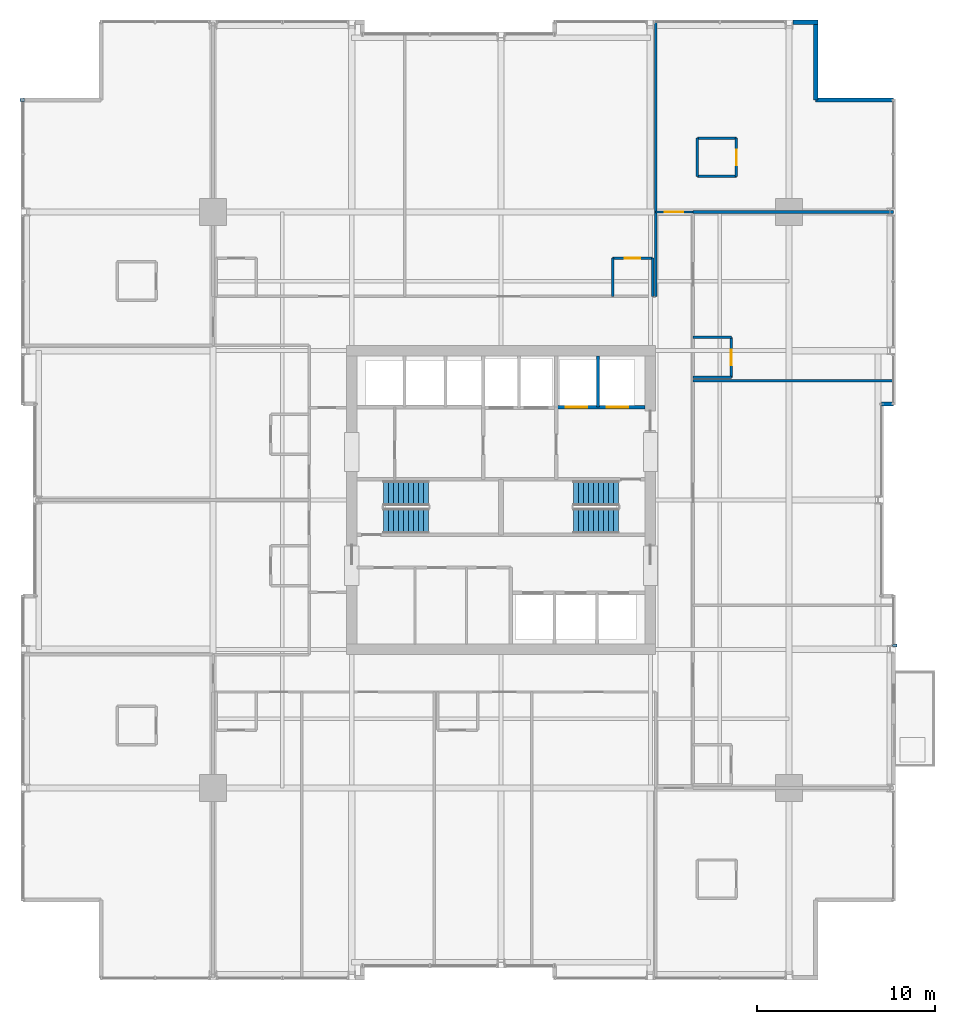
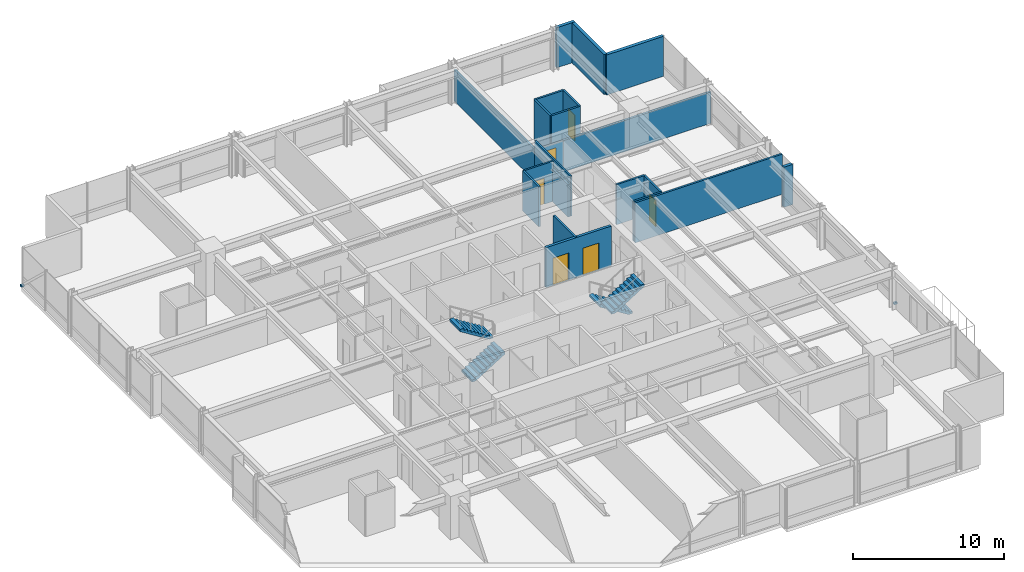
# One storey, part 31 of 33: 21 walls, 6 doors, 4 stair flights, 2 discrete accessories, 6 openings, 2 elements without a shape of their own.
"""IFC4 building model written with IfcOpenShell, lengths in metres."""

from ifc_helpers import new_model, si_unit, direction, frame, frame_2d, origin, origin_2d, place, context, subcontext, project, spatial, polyline, rectangle, outline, extrude, material, layer, layer_set, type_object, element, fill, aggregate, save


model = new_model("IFC4")

# Units and contexts
model_context = context("Model", 3, precision=1e-05, world=origin(), true_north=direction((0.0, 1.0)))
body_context = subcontext(model_context, "Body", "Model", "MODEL_VIEW")
ifc_project = project(units=[si_unit("LENGTHUNIT", "METRE"), si_unit("AREAUNIT", "SQUARE_METRE"), si_unit("VOLUMEUNIT", "CUBIC_METRE"), si_unit("PLANEANGLEUNIT", "RADIAN"), si_unit("MASSUNIT", "GRAM", prefix="KILO")], contexts=[model_context])

# Site, building, storey
site_placement = place(None, origin())
site = spatial("IfcSite", under=ifc_project, at=site_placement, CompositionType="ELEMENT")
building_placement = place(site_placement, origin())
building = spatial("IfcBuilding", under=site, at=building_placement, Name="Drelvath Grand Hotel", CompositionType="ELEMENT")
storey_placement = place(building_placement, frame((0.0, 0.0, 119.800048828125)))
storey = spatial("IfcBuildingStorey", under=building, at=storey_placement, Name="L30", CompositionType="ELEMENT", Elevation=119.800048828125)

# Wall, openings, doors
ifc_material_1 = material(Name="Concrete C40/50", Category="concrete")
ifc_layer_1 = layer(ifc_material_1, 0.199951171875)
ifc_layer_set_1 = layer_set([ifc_layer_1], Name="Concrete C40/50")
wall_type_1 = type_object("IfcWallType", Name="Core Hoistway Fire Wall 200", PredefinedType="SOLIDWALL", material=ifc_layer_set_1)
wall_1_placement = place(storey_placement, frame((3.10009765625, 32.219970703125, 0.0), z_axis=(0.0, 0.0, 1.0), x_axis=(1.0, 0.0, 0.0)))
wall_1 = element("IfcWall", 1, at=wall_1_placement, inside=storey, type_object=wall_type_1, Name="L30 FSAE Hoistway Front Wall", PredefinedType="SOLIDWALL", context=body_context, shape_type="SweptSolid", body=[
    extrude(rectangle(XDim=5.0, YDim=0.199951171875, at=frame_2d((2.5, 0.0))), origin(), (0.0, 0.0, 1.0), 3.239990234375),
])
opening_1_placement = place(wall_1_placement, frame((0.550048828125, 0.0, 0.0)))
opening_1 = element("IfcOpeningElement", 2, at=opening_1_placement, cuts=wall_1, Name="Opening LD-FSAE-1", PredefinedType="OPENING", context=body_context, shape_type="SweptSolid", body=[
    extrude(rectangle(XDim=1.199951171875, YDim=2.199951171875, at=frame_2d((0.60009765625, 1.10009765625))), frame((0.0, 0.10986328125, 0.0), z_axis=(0.0, -1.0, 0.0), x_axis=(1.0, 0.0, 0.0)), (0.0, 0.0, 1.0), 0.219970703125),
])
opening_2_placement = place(wall_1_placement, frame((2.85009765625, 0.0, 0.0)))
opening_2 = element("IfcOpeningElement", 3, at=opening_2_placement, cuts=wall_1, Name="Opening LD-FSAE-2", PredefinedType="OPENING", context=body_context, shape_type="SweptSolid", body=[
    extrude(rectangle(XDim=1.199951171875, YDim=2.199951171875, at=frame_2d((0.60009765625, 1.10009765625))), frame((0.0, 0.10986328125, 0.0), z_axis=(0.0, -1.0, 0.0), x_axis=(1.0, 0.0, 0.0)), (0.0, 0.0, 1.0), 0.219970703125),
])
ifc_material_2 = material(Name="Stainless Steel S355", Category="steel")
door_type_1 = type_object("IfcDoorType", Name="FSAE Lift Sliding Landing Door 1200x2200", OperationType="NOTDEFINED", PredefinedType="DOOR", material=ifc_material_2)
door_1_placement = place(opening_1_placement, origin())
door_1 = element("IfcDoor", 4, at=door_1_placement, inside=storey, type_object=door_type_1, Name="L30 Lift FSAE-1 Landing Door", OperationType="SLIDING_TO_LEFT", OverallHeight=2.199951171875, OverallWidth=1.199951171875, PredefinedType="DOOR", context=body_context, shape_type="SweptSolid", body=[
    extrude(rectangle(XDim=1.199951171875, YDim=2.199951171875, at=frame_2d((0.60009765625, 1.10009765625))), frame((0.0, 0.02490234375, 0.0), z_axis=(0.0, -1.0, 0.0), x_axis=(1.0, 0.0, 0.0)), (0.0, 0.0, 1.0), 0.050048828125),
])
fill(opening_1, door_1)
door_2_placement = place(opening_2_placement, origin())
door_2 = element("IfcDoor", 5, at=door_2_placement, inside=storey, type_object=door_type_1, Name="L30 Lift FSAE-2 Landing Door", OperationType="SLIDING_TO_LEFT", OverallHeight=2.199951171875, OverallWidth=1.199951171875, PredefinedType="DOOR", context=body_context, shape_type="SweptSolid", body=[
    extrude(rectangle(XDim=1.199951171875, YDim=2.199951171875, at=frame_2d((0.60009765625, 1.10009765625))), frame((0.0, 0.02490234375, 0.0), z_axis=(0.0, -1.0, 0.0), x_axis=(1.0, 0.0, 0.0)), (0.0, 0.0, 1.0), 0.050048828125),
])
fill(opening_2, door_2)

# Walls
ifc_material_3 = material(Name="Gypsum Fireboard Partition")
ifc_layer_2 = layer(ifc_material_3, 0.1650390625)
ifc_layer_set_2 = layer_set([ifc_layer_2], Name="Gypsum Fireboard Partition")
wall_type_2 = type_object("IfcWallType", Name="Core Shaft Partition 165", PredefinedType="PARTITIONING", material=ifc_layer_set_2)
wall_2_placement = place(storey_placement, frame((5.449951171875, 32.219970703125, 0.0), z_axis=(0.0, 0.0, 1.0), x_axis=(0.0, 1.0, 0.0)))
element("IfcWall", 6, at=wall_2_placement, inside=storey, type_object=wall_type_2, Name="L30 FSAE Hoistway Divider", PredefinedType="PARTITIONING", context=body_context, shape_type="SweptSolid", body=[
    extrude(rectangle(XDim=2.880126953125, YDim=0.1650390625, at=frame_2d((1.43994140625, 0.0))), origin(), (0.0, 0.0, 1.0), 3.239990234375),
])
ifc_layer_3 = layer(ifc_material_3, 0.135009765625)
ifc_layer_set_3 = layer_set([ifc_layer_3], Name="Gypsum Fireboard Partition")
wall_type_3 = type_object("IfcWallType", Name="Corridor Fire Barrier Wall 135", PredefinedType="PARTITIONING", material=ifc_layer_set_3)
wall_3_placement = place(storey_placement, frame((8.699951171875, 38.449951171875, 0.0), z_axis=(0.0, 0.0, 1.0), x_axis=(0.0, 1.0, 0.0)))
element("IfcWall", 7, at=wall_3_placement, inside=storey, type_object=wall_type_3, Name="L30 East Spine North Inner Wall", PredefinedType="PARTITIONING", context=body_context, shape_type="SweptSolid", body=[
    extrude(rectangle(XDim=4.75, YDim=0.135009765625, at=frame_2d((2.375, 0.0))), origin(), (0.0, 0.0, 1.0), 3.239990234375),
])

# Wall, opening, door
wall_4_placement = place(storey_placement, frame((8.699951171875, 43.199951171875, 0.0), z_axis=(0.0, 0.0, 1.0), x_axis=(1.0, 0.0, 0.0)))
wall_4 = element("IfcWall", 8, at=wall_4_placement, inside=storey, type_object=wall_type_3, Name="L30 East Spine North End", PredefinedType="PARTITIONING", context=body_context, shape_type="SweptSolid", body=[
    extrude(rectangle(XDim=2.10009765625, YDim=0.135009765625, at=frame_2d((1.050048828125, 0.0))), origin(), (0.0, 0.0, 1.0), 2.529541015625),
])
opening_3_placement = place(wall_4_placement, frame((0.52001953125, 0.0, 0.0)))
opening_3 = element("IfcOpeningElement", 9, at=opening_3_placement, cuts=wall_4, Name="Opening D-T2G3-028", PredefinedType="OPENING", context=body_context, shape_type="SweptSolid", body=[
    extrude(rectangle(XDim=1.02001953125, YDim=2.14990234375, at=frame_2d((0.510009765625, 1.074951171875))), frame((0.0, 0.077392578125, 0.0), z_axis=(0.0, -1.0, 0.0), x_axis=(1.0, 0.0, 0.0)), (0.0, 0.0, 1.0), 0.155029296875),
])
ifc_material_4 = material(Name="Hardwood Walnut Timber", Category="wood")
door_type_2 = type_object("IfcDoorType", Name="Amenity Meeting Fire Door 1020x2150", OperationType="NOTDEFINED", PredefinedType="DOOR", material=ifc_material_4)
door_3_placement = place(opening_3_placement, origin())
door_3 = element("IfcDoor", 10, at=door_3_placement, inside=storey, type_object=door_type_2, Name="L30 Corner Suite Entry Door", OperationType="SINGLE_SWING_LEFT", OverallHeight=2.14990234375, OverallWidth=1.02001953125, PredefinedType="DOOR", context=body_context, shape_type="SweptSolid", body=[
    extrude(rectangle(XDim=1.02001953125, YDim=2.14990234375, at=frame_2d((0.510009765625, 1.074951171875))), frame((0.0, 0.02490234375, 0.0), z_axis=(0.0, -1.0, 0.0), x_axis=(1.0, 0.0, 0.0)), (0.0, 0.0, 1.0), 0.050048828125),
])
fill(opening_3, door_3)

# Walls
ifc_material_5 = material(Name="Moisture-Resistant Gypsum Board")
ifc_layer_4 = layer(ifc_material_5, 0.139892578125)
ifc_layer_set_4 = layer_set([ifc_layer_4], Name="Moisture-Resistant Gypsum Board")
wall_type_4 = type_object("IfcWallType", Name="En-Suite Plumbing Wall 140", PredefinedType="PLUMBINGWALL", material=ifc_layer_set_4)
for number, where, z_axis, x_axis, name in (
    (11, (11.0400390625, 45.199951171875, 0.0), (0.0, 0.0, 1.0), (1.0, 0.0, 0.0), "L30 Corner En-Suite South"),
    (12, (11.0400390625, 47.35009765625, 0.0), (0.0, 0.0, 1.0), (1.0, 0.0, 0.0), "L30 Corner En-Suite North"),
):
    element("IfcWall", number, at=place(storey_placement, frame(where, z_axis=z_axis, x_axis=x_axis)), inside=storey, type_object=wall_type_4, Name=name, PredefinedType="PLUMBINGWALL", context=body_context, shape_type="SweptSolid", body=[
        extrude(rectangle(XDim=2.199951171875, YDim=0.139892578125, at=frame_2d((1.10009765625, 0.0))), origin(), (0.0, 0.0, 1.0), 3.239990234375),
    ])
wall_5_placement = place(storey_placement, frame((11.0400390625, 45.199951171875, 0.0), z_axis=(0.0, 0.0, 1.0), x_axis=(0.0, 1.0, 0.0)))
element("IfcWall", 13, at=wall_5_placement, inside=storey, type_object=wall_type_4, Name="L30 Corner En-Suite West", PredefinedType="PLUMBINGWALL", context=body_context, shape_type="SweptSolid", body=[
    extrude(rectangle(XDim=2.150146484375, YDim=0.139892578125, at=frame_2d((1.0751953125, 0.0))), origin(), (0.0, 0.0, 1.0), 3.239990234375),
])

# Wall, opening, door
wall_6_placement = place(storey_placement, frame((13.239990234375, 45.199951171875, 0.0), z_axis=(0.0, 0.0, 1.0), x_axis=(0.0, 1.0, 0.0)))
wall_6 = element("IfcWall", 14, at=wall_6_placement, inside=storey, type_object=wall_type_4, Name="L30 Corner En-Suite East", PredefinedType="PLUMBINGWALL", context=body_context, shape_type="SweptSolid", body=[
    extrude(rectangle(XDim=2.150146484375, YDim=0.139892578125, at=frame_2d((1.0751953125, 0.0))), origin(), (0.0, 0.0, 1.0), 3.239990234375),
])
opening_4_placement = place(wall_6_placement, frame((0.6201171875, 0.0, 0.0)))
opening_4 = element("IfcOpeningElement", 15, at=opening_4_placement, cuts=wall_6, Name="Opening D-T2G3-027", PredefinedType="OPENING", context=body_context, shape_type="SweptSolid", body=[
    extrude(rectangle(XDim=0.8798828125, YDim=2.10009765625, at=frame_2d((0.43994140625, 1.050048828125))), frame((0.0, 0.079833984375, 0.0), z_axis=(0.0, -1.0, 0.0), x_axis=(1.0, 0.0, 0.0)), (0.0, 0.0, 1.0), 0.159912109375),
])
door_type_3 = type_object("IfcDoorType", Name="En-Suite Bathroom Door 880x2100", OperationType="NOTDEFINED", PredefinedType="DOOR", material=ifc_material_4)
door_4_placement = place(opening_4_placement, origin())
door_4 = element("IfcDoor", 16, at=door_4_placement, inside=storey, type_object=door_type_3, Name="L30 Corner En-Suite Door", OperationType="SINGLE_SWING_RIGHT", OverallHeight=2.10009765625, OverallWidth=0.8798828125, PredefinedType="DOOR", context=body_context, shape_type="SweptSolid", body=[
    extrude(rectangle(XDim=0.8798828125, YDim=2.10009765625, at=frame_2d((0.43994140625, 1.050048828125))), frame((0.0, 0.02490234375, 0.0), z_axis=(0.0, -1.0, 0.0), x_axis=(1.0, 0.0, 0.0)), (0.0, 0.0, 1.0), 0.050048828125),
])
fill(opening_4, door_4)

# Walls
wall_7_placement = place(storey_placement, frame((6.27001953125, 38.449951171875, 0.0), z_axis=(0.0, 0.0, 1.0), x_axis=(0.0, 1.0, 0.0)))
element("IfcWall", 17, at=wall_7_placement, inside=storey, type_object=wall_type_4, Name="L30 En-Suite Left Wall", PredefinedType="PLUMBINGWALL", context=body_context, shape_type="SweptSolid", body=[
    extrude(rectangle(XDim=2.150146484375, YDim=0.139892578125, at=frame_2d((1.0751953125, 0.0))), origin(), (0.0, 0.0, 1.0), 3.239990234375),
])
wall_8_placement = place(storey_placement, frame((8.52001953125, 38.449951171875, 0.0), z_axis=(0.0, 0.0, 1.0), x_axis=(0.0, 1.0, 0.0)))
element("IfcWall", 18, at=wall_8_placement, inside=storey, type_object=wall_type_4, Name="L30 En-Suite Right Wall", PredefinedType="PLUMBINGWALL", context=body_context, shape_type="SweptSolid", body=[
    extrude(rectangle(XDim=2.150146484375, YDim=0.139892578125, at=frame_2d((1.0751953125, 0.0))), origin(), (0.0, 0.0, 1.0), 2.617431640625),
])

# Wall, opening, door
wall_9_placement = place(storey_placement, frame((6.27001953125, 40.60009765625, 0.0), z_axis=(0.0, 0.0, 1.0), x_axis=(1.0, 0.0, 0.0)))
wall_9 = element("IfcWall", 19, at=wall_9_placement, inside=storey, type_object=wall_type_4, Name="L30 En-Suite Front Wall", PredefinedType="PLUMBINGWALL", context=body_context, shape_type="SweptSolid", body=[
    extrude(rectangle(XDim=2.25, YDim=0.139892578125, at=frame_2d((1.125, 0.0))), origin(), (0.0, 0.0, 1.0), 3.239990234375),
])
opening_5_placement = place(wall_9_placement, frame((0.68505859375, 0.0, 0.0)))
opening_5 = element("IfcOpeningElement", 20, at=opening_5_placement, cuts=wall_9, Name="Opening D-T2G3-037", PredefinedType="OPENING", context=body_context, shape_type="SweptSolid", body=[
    extrude(rectangle(XDim=0.8798828125, YDim=2.10009765625, at=frame_2d((0.43994140625, 1.050048828125))), frame((0.0, 0.079833984375, 0.0), z_axis=(0.0, -1.0, 0.0), x_axis=(1.0, 0.0, 0.0)), (0.0, 0.0, 1.0), 0.159912109375),
])
door_5_placement = place(opening_5_placement, origin())
door_5 = element("IfcDoor", 21, at=door_5_placement, inside=storey, type_object=door_type_3, Name="L30 En-Suite Bathroom Door", OperationType="SINGLE_SWING_RIGHT", OverallHeight=2.10009765625, OverallWidth=0.8798828125, PredefinedType="DOOR", context=body_context, shape_type="SweptSolid", body=[
    extrude(rectangle(XDim=0.8798828125, YDim=2.10009765625, at=frame_2d((0.43994140625, 1.050048828125))), frame((0.0, 0.02490234375, 0.0), z_axis=(0.0, -1.0, 0.0), x_axis=(1.0, 0.0, 0.0)), (0.0, 0.0, 1.0), 0.050048828125),
])
fill(opening_5, door_5)

# Walls
for number, where, z_axis, x_axis, name in (
    (22, (10.800048828125, 33.897216796875, 0.0), (0.0, 0.0, 1.0), (1.0, 0.0, 0.0), "L30 En-Suite Left Wall"),
    (23, (10.800048828125, 36.147216796875, 0.0), (0.0, 0.0, 1.0), (1.0, 0.0, 0.0), "L30 En-Suite Right Wall"),
):
    element("IfcWall", number, at=place(storey_placement, frame(where, z_axis=z_axis, x_axis=x_axis)), inside=storey, type_object=wall_type_4, Name=name, PredefinedType="PLUMBINGWALL", context=body_context, shape_type="SweptSolid", body=[
        extrude(rectangle(XDim=2.14990234375, YDim=0.139892578125, at=frame_2d((1.074951171875, 0.0))), origin(), (0.0, 0.0, 1.0), 3.239990234375),
    ])

# Wall, opening, door
wall_10_placement = place(storey_placement, frame((12.949951171875, 33.897216796875, 0.0), z_axis=(0.0, 0.0, 1.0), x_axis=(0.0, 1.0, 0.0)))
wall_10 = element("IfcWall", 24, at=wall_10_placement, inside=storey, type_object=wall_type_4, Name="L30 En-Suite Front Wall", PredefinedType="PLUMBINGWALL", context=body_context, shape_type="SweptSolid", body=[
    extrude(rectangle(XDim=2.25, YDim=0.139892578125, at=frame_2d((1.125, 0.0))), origin(), (0.0, 0.0, 1.0), 3.239990234375),
])
opening_6_placement = place(wall_10_placement, frame((0.68505859375, 0.0, 0.0)))
opening_6 = element("IfcOpeningElement", 25, at=opening_6_placement, cuts=wall_10, Name="Opening D-T2G3-042", PredefinedType="OPENING", context=body_context, shape_type="SweptSolid", body=[
    extrude(rectangle(XDim=0.8798828125, YDim=2.10009765625, at=frame_2d((0.43994140625, 1.050048828125))), frame((0.0, 0.079833984375, 0.0), z_axis=(0.0, -1.0, 0.0), x_axis=(1.0, 0.0, 0.0)), (0.0, 0.0, 1.0), 0.159912109375),
])
door_6_placement = place(opening_6_placement, origin())
door_6 = element("IfcDoor", 26, at=door_6_placement, inside=storey, type_object=door_type_3, Name="L30 En-Suite Bathroom Door", OperationType="SINGLE_SWING_LEFT", OverallHeight=2.10009765625, OverallWidth=0.8798828125, PredefinedType="DOOR", context=body_context, shape_type="SweptSolid", body=[
    extrude(rectangle(XDim=0.8798828125, YDim=2.10009765625, at=frame_2d((0.43994140625, 1.050048828125))), frame((0.0, 0.02490234375, 0.0), z_axis=(0.0, -1.0, 0.0), x_axis=(1.0, 0.0, 0.0)), (0.0, 0.0, 1.0), 0.050048828125),
])
fill(opening_6, door_6)

# Walls
ifc_material_6 = material(Name="Gypsum Acoustic Partition")
ifc_layer_5 = layer(ifc_material_6, 0.14990234375)
ifc_layer_set_5 = layer_set([ifc_layer_5], Name="Gypsum Acoustic Partition")
wall_type_5 = type_object("IfcWallType", Name="Guestroom Demising Wall 150", PredefinedType="PARTITIONING", material=ifc_layer_set_5)
wall_11_placement = place(storey_placement, frame((10.800048828125, 33.717041015625, 0.0), z_axis=(0.0, 0.0, 1.0), x_axis=(1.0, 0.0, 0.0)))
element("IfcWall", 27, at=wall_11_placement, inside=storey, type_object=wall_type_5, Name="L30 East Demising 2", PredefinedType="PARTITIONING", context=body_context, shape_type="SweptSolid", body=[
    extrude(rectangle(XDim=11.280029296875, YDim=0.14990234375, at=frame_2d((5.64013671875, 0.0))), origin(), (0.0, 0.0, 1.0), 3.239990234375),
])
ifc_layer_6 = layer(ifc_material_6, 0.1650390625)
ifc_layer_set_6 = layer_set([ifc_layer_6], Name="Gypsum Acoustic Partition")
wall_type_6 = type_object("IfcWallType", Name="Suite Demising Wall 165", PredefinedType="PARTITIONING", material=ifc_layer_set_6)
wall_12_placement = place(storey_placement, frame((8.699951171875, 43.199951171875, 0.0), z_axis=(0.0, 0.0, 1.0), x_axis=(0.0, 1.0, 0.0)))
element("IfcWall", 28, at=wall_12_placement, inside=storey, type_object=wall_type_6, Name="L30 NE Suite West Wall", PredefinedType="PARTITIONING", context=body_context, shape_type="SweptSolid", body=[
    extrude(rectangle(XDim=10.679931640625, YDim=0.1650390625, at=frame_2d((5.33984375, 0.0))), origin(), (0.0, 0.0, 1.0), 2.529541015625),
])
wall_13_placement = place(storey_placement, frame((10.800048828125, 43.199951171875, 0.0), z_axis=(0.0, 0.0, 1.0), x_axis=(1.0, 0.0, 0.0)))
element("IfcWall", 29, at=wall_13_placement, inside=storey, type_object=wall_type_6, Name="L30 NE Suite South Wall", PredefinedType="PARTITIONING", context=body_context, shape_type="SweptSolid", body=[
    extrude(rectangle(XDim=11.280029296875, YDim=0.1650390625, at=frame_2d((5.64013671875, 0.0))), origin(), (0.0, 0.0, 1.0), 2.529541015625),
])
ifc_material_7 = material(Name="Pale-Metal Insulated Aluminium Spandrel Assembly", Category="aluminium")
ifc_layer_7 = layer(ifc_material_7, 0.239990234375)
ifc_layer_set_7 = layer_set([ifc_layer_7], Name="Pale-Metal Insulated Aluminium Spandrel Assembly")
wall_type_7 = type_object("IfcWallType", Name="Tower Insulated Metal Spandrel Closure Wall 240", PredefinedType="STANDARD", material=ifc_layer_set_7)
wall_14_placement = place(storey_placement, frame((16.409423828125, 53.8798828125, 0.0), z_axis=(0.0, 0.0, 1.0), x_axis=(1.0, 0.0, 0.0)))
element("IfcWall", 30, at=wall_14_placement, inside=storey, type_object=wall_type_7, Name="L30 Corner Pier Spandrel Wall NE3", PredefinedType="STANDARD", context=body_context, shape_type="SweptSolid", body=[
    extrude(rectangle(XDim=1.41064453125, YDim=0.239990234375, at=frame_2d((0.705322265625, 0.0))), origin(), (0.0, 0.0, 1.0), 3.239990234375),
])
wall_15_placement = place(storey_placement, frame((17.699951171875, 53.760009765625, 0.0), z_axis=(0.0, 0.0, 1.0), x_axis=(0.0, -1.0, 0.0)))
element("IfcWall", 31, at=wall_15_placement, inside=storey, type_object=wall_type_7, Name="L30 Notched Corner Return Spandrel Wall CNE1", PredefinedType="STANDARD", context=body_context, shape_type="SweptSolid", body=[
    extrude(rectangle(XDim=4.260009765625, YDim=0.239990234375, at=frame_2d((2.1298828125, 0.0))), origin(), (0.0, 0.0, 1.0), 3.239990234375),
])
wall_16_placement = place(storey_placement, frame((17.699951171875, 49.5, 0.0), z_axis=(0.0, 0.0, 1.0), x_axis=(1.0, 0.0, 0.0)))
element("IfcWall", 32, at=wall_16_placement, inside=storey, type_object=wall_type_7, Name="L30 Notched Corner Return Spandrel Wall CNE2", PredefinedType="STANDARD", context=body_context, shape_type="SweptSolid", body=[
    extrude(rectangle(XDim=4.380126953125, YDim=0.239990234375, at=frame_2d((2.18994140625, 0.0))), origin(), (0.0, 0.0, 1.0), 3.239990234375),
])
wall_17_placement = place(storey_placement, frame((22.080078125, 32.39990234375, 0.0), z_axis=(0.0, 0.0, 1.0), x_axis=(-1.0, 0.0, 0.0)))
element("IfcWall", 33, at=wall_17_placement, inside=storey, type_object=wall_type_7, Name="L30 Notched Corner Return Spandrel Wall RE1", PredefinedType="STANDARD", context=body_context, shape_type="SweptSolid", body=[
    extrude(rectangle(XDim=0.68017578125, YDim=0.239990234375, at=frame_2d((0.340087890625, 0.0))), origin(), (0.0, 0.0, 1.0), 3.239990234375),
])

# Stair, stair flights
stair_type = type_object("IfcStairType", Name="Dogleg Exit Stair W1400-R175.0", PredefinedType="HALF_TURN_STAIR", material=ifc_material_1)
stair_1_placement = place(storey_placement, origin())
stair_1 = element("IfcStair", 34, at=stair_1_placement, inside=storey, type_object=stair_type, Name="L30 Core Exit Stair ST-1", PredefinedType="HALF_TURN_STAIR")
stair_flight_type = type_object("IfcStairFlightType", Name="Concrete Stair Flight W1400-R175.0", PredefinedType="STRAIGHT", material=ifc_material_1)
stair_flight_1_placement = place(storey_placement, frame((-6.60009765625, 25.820068359375, 0.0), z_axis=(0.0, 0.0, 1.0), x_axis=(1.0, 0.0, 0.0)))
stair_flight_1 = element("IfcStairFlight", 35, at=stair_flight_1_placement, type_object=stair_flight_type, Name="ST-1 flight 1", NumberOfRisers=10, NumberOfTreads=9, PredefinedType="STRAIGHT", RiserHeight=0.175, TreadLength=0.28, context=body_context, shape_type="SweptSolid", body=[
    extrude(outline(polyline([(0.0, 0.0), (0.0, 0.175048828125), (0.280029296875, 0.175048828125), (0.280029296875, 0.35009765625), (0.56005859375, 0.35009765625), (0.56005859375, 0.52490234375), (0.840087890625, 0.52490234375), (0.840087890625, 0.699951171875), (1.1201171875, 0.699951171875), (1.1201171875, 0.875), (1.39990234375, 0.875), (1.39990234375, 1.050048828125), (1.679931640625, 1.050048828125), (1.679931640625, 1.22509765625), (1.9599609375, 1.22509765625), (1.9599609375, 1.39990234375), (2.239990234375, 1.39990234375), (2.239990234375, 1.574951171875), (2.52001953125, 1.574951171875), (2.52001953125, 1.75), (2.52001953125, 1.386474609375), (0.3017578125, 0.0), (0.0, 0.0)])), frame((0.0, 0.699951171875, 0.0), z_axis=(0.0, -1.0, 0.0), x_axis=(1.0, 0.0, 0.0)), (0.0, 0.0, 1.0), 1.39990234375),
])
stair_flight_2_placement = place(storey_placement, frame((-4.080078125, 27.3798828125, 1.75), z_axis=(0.0, 0.0, 1.0), x_axis=(-1.0, 0.0, 0.0)))
stair_flight_2 = element("IfcStairFlight", 36, at=stair_flight_2_placement, type_object=stair_flight_type, Name="ST-1 flight 2", NumberOfRisers=10, NumberOfTreads=9, PredefinedType="STRAIGHT", RiserHeight=0.175, TreadLength=0.28, context=body_context, shape_type="SweptSolid", body=[
    extrude(outline(polyline([(0.0, 0.0), (0.0, 0.175048828125), (0.280029296875, 0.175048828125), (0.280029296875, 0.35009765625), (0.56005859375, 0.35009765625), (0.56005859375, 0.52490234375), (0.840087890625, 0.52490234375), (0.840087890625, 0.699951171875), (1.1201171875, 0.699951171875), (1.1201171875, 0.875), (1.39990234375, 0.875), (1.39990234375, 1.050048828125), (1.679931640625, 1.050048828125), (1.679931640625, 1.22509765625), (1.9599609375, 1.22509765625), (1.9599609375, 1.39990234375), (2.239990234375, 1.39990234375), (2.239990234375, 1.574951171875), (2.52001953125, 1.574951171875), (2.52001953125, 1.75), (2.52001953125, 1.386474609375), (0.3017578125, 0.0), (0.0, 0.0)])), frame((0.0, 0.699951171875, 0.0), z_axis=(0.0, -1.0, 0.0), x_axis=(1.0, 0.0, 0.0)), (0.0, 0.0, 1.0), 1.39990234375),
])
aggregate(stair_1, [stair_flight_1, stair_flight_2])

stair_2_placement = place(storey_placement, origin())
stair_2 = element("IfcStair", 37, at=stair_2_placement, inside=storey, type_object=stair_type, Name="L30 Core Exit Stair ST-2", PredefinedType="HALF_TURN_STAIR")
stair_flight_3_placement = place(storey_placement, frame((6.60009765625, 27.3798828125, 0.0), z_axis=(0.0, 0.0, 1.0), x_axis=(-1.0, 0.0, 0.0)))
stair_flight_3 = element("IfcStairFlight", 38, at=stair_flight_3_placement, type_object=stair_flight_type, Name="ST-2 flight 1", NumberOfRisers=10, NumberOfTreads=9, PredefinedType="STRAIGHT", RiserHeight=0.175, TreadLength=0.28, context=body_context, shape_type="SweptSolid", body=[
    extrude(outline(polyline([(0.0, 0.0), (0.0, 0.175048828125), (0.280029296875, 0.175048828125), (0.280029296875, 0.35009765625), (0.56005859375, 0.35009765625), (0.56005859375, 0.52490234375), (0.840087890625, 0.52490234375), (0.840087890625, 0.699951171875), (1.1201171875, 0.699951171875), (1.1201171875, 0.875), (1.39990234375, 0.875), (1.39990234375, 1.050048828125), (1.679931640625, 1.050048828125), (1.679931640625, 1.22509765625), (1.9599609375, 1.22509765625), (1.9599609375, 1.39990234375), (2.239990234375, 1.39990234375), (2.239990234375, 1.574951171875), (2.52001953125, 1.574951171875), (2.52001953125, 1.75), (2.52001953125, 1.386474609375), (0.3017578125, 0.0), (0.0, 0.0)])), frame((0.0, 0.699951171875, 0.0), z_axis=(0.0, -1.0, 0.0), x_axis=(1.0, 0.0, 0.0)), (0.0, 0.0, 1.0), 1.39990234375),
])
stair_flight_4_placement = place(storey_placement, frame((4.080078125, 25.820068359375, 1.75), z_axis=(0.0, 0.0, 1.0), x_axis=(1.0, 0.0, 0.0)))
stair_flight_4 = element("IfcStairFlight", 39, at=stair_flight_4_placement, type_object=stair_flight_type, Name="ST-2 flight 2", NumberOfRisers=10, NumberOfTreads=9, PredefinedType="STRAIGHT", RiserHeight=0.175, TreadLength=0.28, context=body_context, shape_type="SweptSolid", body=[
    extrude(outline(polyline([(0.0, 0.0), (0.0, 0.175048828125), (0.280029296875, 0.175048828125), (0.280029296875, 0.35009765625), (0.56005859375, 0.35009765625), (0.56005859375, 0.52490234375), (0.840087890625, 0.52490234375), (0.840087890625, 0.699951171875), (1.1201171875, 0.699951171875), (1.1201171875, 0.875), (1.39990234375, 0.875), (1.39990234375, 1.050048828125), (1.679931640625, 1.050048828125), (1.679931640625, 1.22509765625), (1.9599609375, 1.22509765625), (1.9599609375, 1.39990234375), (2.239990234375, 1.39990234375), (2.239990234375, 1.574951171875), (2.52001953125, 1.574951171875), (2.52001953125, 1.75), (2.52001953125, 1.386474609375), (0.3017578125, 0.0), (0.0, 0.0)])), frame((0.0, 0.699951171875, 0.0), z_axis=(0.0, -1.0, 0.0), x_axis=(1.0, 0.0, 0.0)), (0.0, 0.0, 1.0), 1.39990234375),
])
aggregate(stair_2, [stair_flight_3, stair_flight_4])

# Discrete accessories
ifc_material_8 = material(Name="Stainless Steel Grade 316", Category="steel")
discrete_accessory_type = type_object("IfcDiscreteAccessoryType", Name="Curtain Wall Fin Mounting Bracket Cleat", PredefinedType="BRACKET", material=ifc_material_8)
for number, where, z_axis, x_axis, name in (
    (40, (-26.93994140625, 49.5, 0.10009765625), (0.0, 0.0, 1.0), (0.0, 1.0, 0.0), "L30 Fin Mounting Bracket CW03-L30-WN3-1"),
    (41, (22.139892578125, 18.809326171875, 0.10009765625), (0.0, 0.0, 1.0), (0.0, -1.0, 0.0), "L30 Fin Mounting Bracket CW03-L30-ES3-1"),
):
    element("IfcDiscreteAccessory", number, at=place(storey_placement, frame(where, z_axis=z_axis, x_axis=x_axis)), inside=storey, type_object=discrete_accessory_type, Name=name, PredefinedType="BRACKET", context=body_context, shape_type="SweptSolid", body=[
        extrude(rectangle(XDim=0.159912109375, YDim=0.239990234375, at=origin_2d()), origin(), (0.0, 0.0, 1.0), 0.159912109375),
    ])

save(model, "model.ifc")
